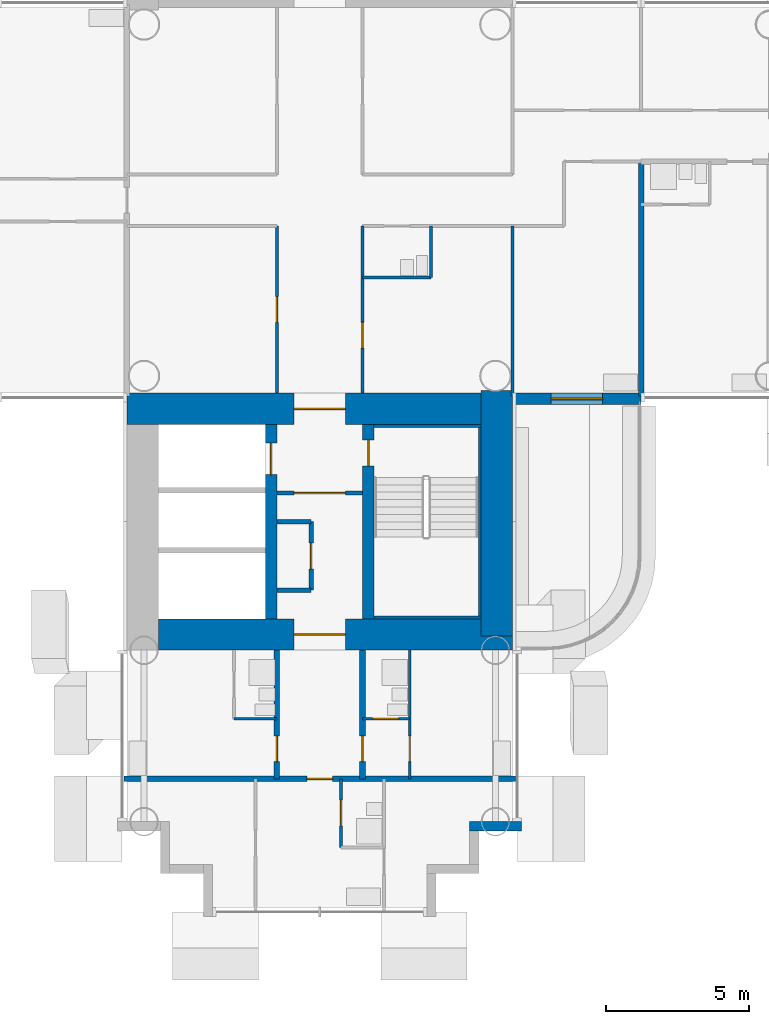
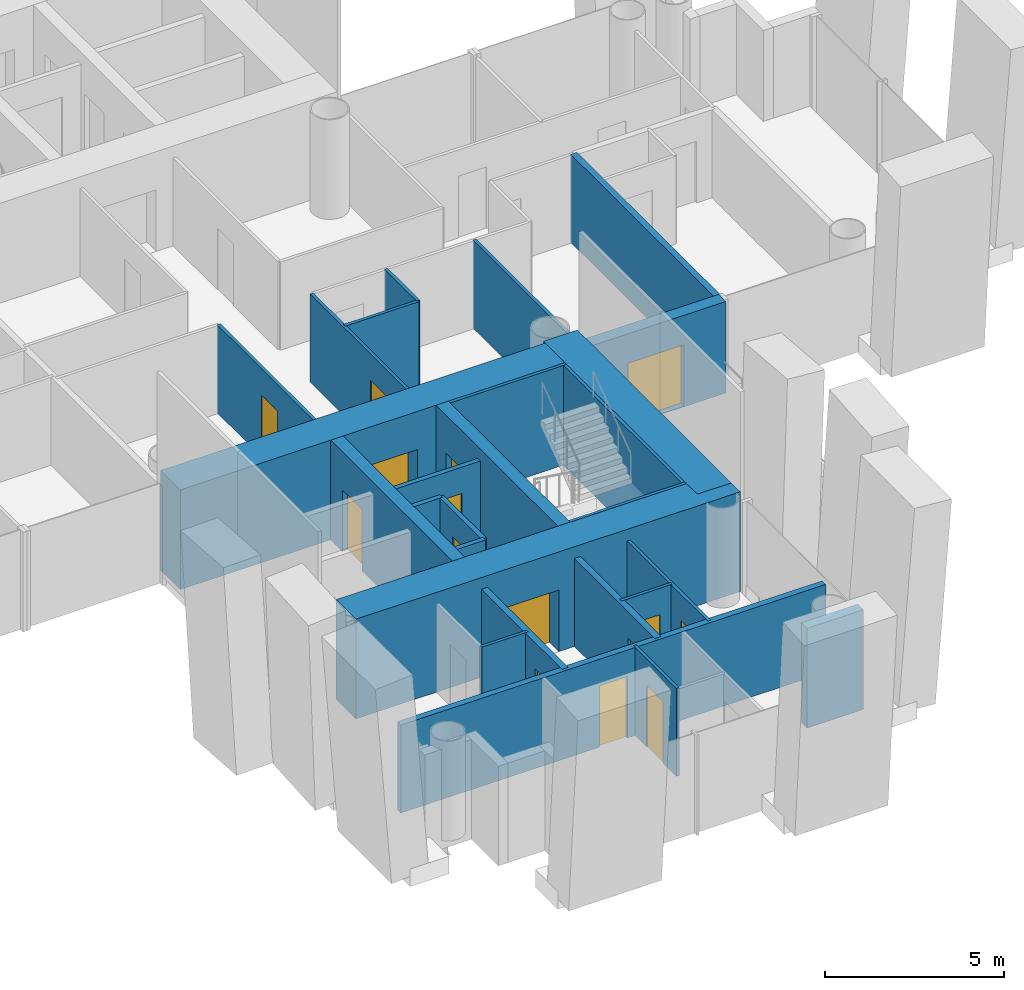
# One storey, part 15 of 25: 27 walls, 15 doors, 15 openings.
"""IFC4 building model written with IfcOpenShell, lengths in metres."""

from ifc_helpers import new_model, si_unit, direction, frame, frame_2d, origin, place, context, subcontext, project, spatial, rectangle, extrude, material, layer, layer_set, type_object, element, fill, save


model = new_model("IFC4")

# Units and contexts
model_context = context("Model", 3, precision=1e-05, world=origin(), true_north=direction((0.0, 1.0)))
body_context = subcontext(model_context, "Body", "Model", "MODEL_VIEW")
ifc_project = project(units=[si_unit("LENGTHUNIT", "METRE"), si_unit("AREAUNIT", "SQUARE_METRE"), si_unit("VOLUMEUNIT", "CUBIC_METRE"), si_unit("PLANEANGLEUNIT", "RADIAN"), si_unit("MASSUNIT", "GRAM", prefix="KILO")], contexts=[model_context])

# Site, building, storey
site_placement = place(None, origin())
site = spatial("IfcSite", under=ifc_project, at=site_placement, CompositionType="ELEMENT")
building_placement = place(site_placement, origin())
building = spatial("IfcBuilding", under=site, at=building_placement, Name="Ipe Terrace Towers", CompositionType="ELEMENT")
storey_placement = place(building_placement, frame((0.0, 0.0, 58.5)))
storey = spatial("IfcBuildingStorey", under=building, at=storey_placement, Name="L15", CompositionType="ELEMENT", Elevation=58.5)

# Wall, opening, door
ifc_material_1 = material(Name="Concrete C40/50 with buff precast cladding", Category="concrete")
ifc_layer_1 = layer(ifc_material_1, 0.39990234375)
ifc_layer_set_1 = layer_set([ifc_layer_1], Name="BALCONY BAY WALL 400")
wall_type_1 = type_object("IfcWallType", Name="BALCONY BAY WALL 400", PredefinedType="STANDARD", material=ifc_layer_set_1)
wall_1_placement = place(storey_placement, frame((42.75, -6.949951171875, -0.02001953125), z_axis=(0.0, 0.0, 1.0), x_axis=(1.0, 0.0, 0.0)))
wall_1 = element("IfcWall", 1, at=wall_1_placement, inside=storey, type_object=wall_type_1, Name="T2-W-L15-06a wall", PredefinedType="STANDARD", context=body_context, shape_type="SweptSolid", body=[
    extrude(rectangle(XDim=4.5, YDim=0.39990234375, at=frame_2d((2.25, 0.0))), origin(), (0.0, 0.0, 1.0), 3.1201171875),
])
opening_1_placement = place(wall_1_placement, frame((1.35009765625, 0.0, 0.02001953125)))
opening_1 = element("IfcOpeningElement", 2, at=opening_1_placement, cuts=wall_1, Name="Opening T2-D-L15-06", PredefinedType="OPENING", context=body_context, shape_type="SweptSolid", body=[
    extrude(rectangle(XDim=1.800048828125, YDim=2.10009765625, at=frame_2d((0.89990234375, 1.050048828125))), frame((0.0, 0.2099609375, 0.0), z_axis=(0.0, -1.0, 0.0), x_axis=(1.0, 0.0, 0.0)), (0.0, 0.0, 1.0), 0.419921875),
])
ifc_material_2 = material(Name="Aluminium alloy 6063-T6 framed glazed door", Category="aluminium")
door_type_1 = type_object("IfcDoorType", Name="BALCONY DOOR 1800 x 2100 RIGHT", OperationType="SINGLE_SWING_RIGHT", PredefinedType="DOOR", material=ifc_material_2)
door_1_placement = place(opening_1_placement, origin())
door_1 = element("IfcDoor", 3, at=door_1_placement, inside=storey, type_object=door_type_1, Name="DB2 door", OperationType="SINGLE_SWING_RIGHT", OverallHeight=2.10009765625, OverallWidth=1.800048828125, PredefinedType="DOOR", context=body_context, shape_type="SweptSolid", body=[
    extrude(rectangle(XDim=1.800048828125, YDim=2.10009765625, at=frame_2d((0.89990234375, 1.050048828125))), frame((0.0, 0.02490234375, 0.0), z_axis=(0.0, -1.0, 0.0), x_axis=(1.0, 0.0, 0.0)), (0.0, 0.0, 1.0), 0.050048828125),
])
fill(opening_1, door_1)

# Wall
ifc_material_3 = material(Name="Concrete C40/50 with buff precast cladding", Category="concrete")
ifc_layer_2 = layer(ifc_material_3, 0.320068359375)
ifc_layer_set_2 = layer_set([ifc_layer_2], Name="BUFF CLADDING WALL 320")
wall_type_2 = type_object("IfcWallType", Name="BUFF CLADDING WALL 320", PredefinedType="STANDARD", material=ifc_layer_set_2)
wall_2_placement = place(storey_placement, frame((41.25, -21.909912109375, -0.300048828125), z_axis=(0.0, 0.0, 1.0), x_axis=(1.0, 0.0, 0.0)))
element("IfcWall", 4, at=wall_2_placement, inside=storey, type_object=wall_type_2, Name="T2-W-L15-03a wall", PredefinedType="STANDARD", context=body_context, shape_type="SweptSolid", body=[
    extrude(rectangle(XDim=1.820068359375, YDim=0.320068359375, at=frame_2d((0.91015625, 0.0))), origin(), (0.0, 0.0, 1.0), 3.400146484375),
])

# Wall, opening, door
ifc_material_4 = material(Name="Gypsum board partition", Category="plasterboard")
ifc_layer_3 = layer(ifc_material_4, 0.10009765625)
ifc_layer_set_3 = layer_set([ifc_layer_3], Name="Gypsum board partition 100 mm")
wall_type_3 = type_object("IfcWallType", Name="Gypsum board partition 100 mm", PredefinedType="PARTITIONING", material=ifc_layer_set_3)
wall_3_placement = place(storey_placement, frame((39.14990234375, -18.14990234375, 0.0), z_axis=(0.0, 0.0, 1.0), x_axis=(-1.0, 0.0, 0.0)))
wall_3 = element("IfcWall", 5, at=wall_3_placement, inside=storey, type_object=wall_type_3, Name="Gypsum board partition T2 L15 W03", PredefinedType="PARTITIONING", context=body_context, shape_type="SweptSolid", body=[
    extrude(rectangle(XDim=1.64990234375, YDim=0.10009765625, at=frame_2d((0.824951171875, 0.0))), origin(), (0.0, 0.0, 1.0), 3.0),
])
opening_2_placement = place(wall_3_placement, frame((0.39990234375, 0.0, 0.0)))
opening_2 = element("IfcOpeningElement", 6, at=opening_2_placement, cuts=wall_3, Name="Opening T2-Z1D-32", PredefinedType="OPENING", context=body_context, shape_type="SweptSolid", body=[
    extrude(rectangle(XDim=0.89990234375, YDim=2.10009765625, at=frame_2d((0.449951171875, 1.050048828125))), frame((0.0, 0.06005859375, 0.0), z_axis=(0.0, -1.0, 0.0), x_axis=(1.0, 0.0, 0.0)), (0.0, 0.0, 1.0), 0.1201171875),
])
ifc_material_5 = material(Name="Timber door leaf", Category="wood")
door_type_2 = type_object("IfcDoorType", Name="Bathroom door 900 x 2100", OperationType="NOTDEFINED", PredefinedType="DOOR", material=ifc_material_5)
door_2_placement = place(opening_2_placement, origin())
door_2 = element("IfcDoor", 7, at=door_2_placement, inside=storey, type_object=door_type_2, Name="Bathroom door T2-Z1D-32", OperationType="SINGLE_SWING_RIGHT", OverallHeight=2.10009765625, OverallWidth=0.89990234375, PredefinedType="DOOR", context=body_context, shape_type="SweptSolid", body=[
    extrude(rectangle(XDim=0.89990234375, YDim=2.10009765625, at=frame_2d((0.449951171875, 1.050048828125))), frame((0.0, 0.02490234375, 0.0), z_axis=(0.0, -1.0, 0.0), x_axis=(1.0, 0.0, 0.0)), (0.0, 0.0, 1.0), 0.050048828125),
])
fill(opening_2, door_2)

# Walls
wall_4_placement = place(storey_placement, frame((34.5, -18.14990234375, 0.0), z_axis=(0.0, 0.0, 1.0), x_axis=(-1.0, 0.0, 0.0)))
element("IfcWall", 8, at=wall_4_placement, inside=storey, type_object=wall_type_3, Name="Gypsum board partition T2 L15 W04", PredefinedType="PARTITIONING", context=body_context, shape_type="SweptSolid", body=[
    extrude(rectangle(XDim=1.5, YDim=0.10009765625, at=frame_2d((0.75, 0.0))), origin(), (0.0, 0.0, 1.0), 3.0),
])
wall_5_placement = place(storey_placement, frame((39.89990234375, -2.699951171875, 0.0), z_axis=(0.0, 0.0, 1.0), x_axis=(-1.0, 0.0, 0.0)))
element("IfcWall", 9, at=wall_5_placement, inside=storey, type_object=wall_type_3, Name="Gypsum board partition T2 L15 W06", PredefinedType="PARTITIONING", context=body_context, shape_type="SweptSolid", body=[
    extrude(rectangle(XDim=2.39990234375, YDim=0.10009765625, at=frame_2d((1.199951171875, 0.0))), origin(), (0.0, 0.0, 1.0), 3.0),
])
wall_6_placement = place(storey_placement, frame((42.75, -6.85009765625, 0.0), z_axis=(0.0, 0.0, 1.0), x_axis=(0.0, 1.0, 0.0)))
element("IfcWall", 10, at=wall_6_placement, inside=storey, type_object=wall_type_3, Name="Gypsum board partition T2 L15 W30", PredefinedType="PARTITIONING", context=body_context, shape_type="SweptSolid", body=[
    extrude(rectangle(XDim=5.9501953125, YDim=0.10009765625, at=frame_2d((2.97509765625, 0.0))), origin(), (0.0, 0.0, 1.0), 3.0),
])
wall_7_placement = place(storey_placement, frame((39.89990234375, -2.699951171875, 0.0), z_axis=(0.0, 0.0, 1.0), x_axis=(0.0, 1.0, 0.0)))
element("IfcWall", 11, at=wall_7_placement, inside=storey, type_object=wall_type_3, Name="Gypsum board partition T2 L15 W32", PredefinedType="PARTITIONING", context=body_context, shape_type="SweptSolid", body=[
    extrude(rectangle(XDim=1.800048828125, YDim=0.10009765625, at=frame_2d((0.89990234375, 0.0))), origin(), (0.0, 0.0, 1.0), 3.0),
])

# Wall, opening, door
wall_8_placement = place(storey_placement, frame((39.14990234375, -20.25, 0.0), z_axis=(0.0, 0.0, 1.0), x_axis=(0.0, 1.0, 0.0)))
wall_8 = element("IfcWall", 12, at=wall_8_placement, inside=storey, type_object=wall_type_3, Name="Gypsum board partition T2 L15 W33", PredefinedType="PARTITIONING", context=body_context, shape_type="SweptSolid", body=[
    extrude(rectangle(XDim=4.5, YDim=0.10009765625, at=frame_2d((2.25, 0.0))), origin(), (0.0, 0.0, 1.0), 3.0),
])
opening_3_placement = place(wall_8_placement, frame((0.60009765625, 0.0, 0.0)))
opening_3 = element("IfcOpeningElement", 13, at=opening_3_placement, cuts=wall_8, Name="Opening T2-Z1D-31", PredefinedType="OPENING", context=body_context, shape_type="SweptSolid", body=[
    extrude(rectangle(XDim=0.89990234375, YDim=2.10009765625, at=frame_2d((0.449951171875, 1.050048828125))), frame((0.0, 0.06005859375, 0.0), z_axis=(0.0, -1.0, 0.0), x_axis=(1.0, 0.0, 0.0)), (0.0, 0.0, 1.0), 0.1201171875),
])
ifc_material_6 = material(Name="Timber door leaf", Category="wood")
door_type_3 = type_object("IfcDoorType", Name="Bedroom door 900 x 2100", OperationType="NOTDEFINED", PredefinedType="DOOR", material=ifc_material_6)
door_3_placement = place(opening_3_placement, origin())
door_3 = element("IfcDoor", 14, at=door_3_placement, inside=storey, type_object=door_type_3, Name="Bedroom door T2-Z1D-31", OperationType="SINGLE_SWING_LEFT", OverallHeight=2.10009765625, OverallWidth=0.89990234375, PredefinedType="DOOR", context=body_context, shape_type="SweptSolid", body=[
    extrude(rectangle(XDim=0.89990234375, YDim=2.10009765625, at=frame_2d((0.449951171875, 1.050048828125))), frame((0.0, 0.02490234375, 0.0), z_axis=(0.0, -1.0, 0.0), x_axis=(1.0, 0.0, 0.0)), (0.0, 0.0, 1.0), 0.050048828125),
])
fill(opening_3, door_3)

wall_9_placement = place(storey_placement, frame((37.5, -6.75, 0.0), z_axis=(0.0, 0.0, 1.0), x_axis=(0.0, 1.0, 0.0)))
wall_9 = element("IfcWall", 15, at=wall_9_placement, inside=storey, type_object=wall_type_3, Name="Gypsum board partition T2 L15 W36", PredefinedType="PARTITIONING", context=body_context, shape_type="SweptSolid", body=[
    extrude(rectangle(XDim=5.85009765625, YDim=0.10009765625, at=frame_2d((2.925048828125, 0.0))), origin(), (0.0, 0.0, 1.0), 3.0),
])
opening_4_placement = place(wall_9_placement, frame((1.574951171875, 0.0, 0.0)))
opening_4 = element("IfcOpeningElement", 16, at=opening_4_placement, cuts=wall_9, Name="Opening T2-Z1D-04", PredefinedType="OPENING", context=body_context, shape_type="SweptSolid", body=[
    extrude(rectangle(XDim=0.89990234375, YDim=2.10009765625, at=frame_2d((0.449951171875, 1.050048828125))), frame((0.0, 0.06005859375, 0.0), z_axis=(0.0, -1.0, 0.0), x_axis=(1.0, 0.0, 0.0)), (0.0, 0.0, 1.0), 0.1201171875),
])
ifc_material_7 = material(Name="Timber door leaf", Category="wood")
door_type_4 = type_object("IfcDoorType", Name="Lounge door 900 x 2100", OperationType="NOTDEFINED", PredefinedType="DOOR", material=ifc_material_7)
door_4_placement = place(opening_4_placement, origin())
door_4 = element("IfcDoor", 17, at=door_4_placement, inside=storey, type_object=door_type_4, Name="Lounge door T2-Z1D-04", OperationType="SINGLE_SWING_LEFT", OverallHeight=2.10009765625, OverallWidth=0.89990234375, PredefinedType="DOOR", context=body_context, shape_type="SweptSolid", body=[
    extrude(rectangle(XDim=0.89990234375, YDim=2.10009765625, at=frame_2d((0.449951171875, 1.050048828125))), frame((0.0, 0.02490234375, 0.0), z_axis=(0.0, -1.0, 0.0), x_axis=(1.0, 0.0, 0.0)), (0.0, 0.0, 1.0), 0.050048828125),
])
fill(opening_4, door_4)

wall_10_placement = place(storey_placement, frame((36.75, -22.64990234375, 0.0), z_axis=(0.0, 0.0, 1.0), x_axis=(0.0, 1.0, 0.0)))
wall_10 = element("IfcWall", 18, at=wall_10_placement, inside=storey, type_object=wall_type_3, Name="Gypsum board partition T2 L15 W40", PredefinedType="PARTITIONING", context=body_context, shape_type="SweptSolid", body=[
    extrude(rectangle(XDim=2.39990234375, YDim=0.10009765625, at=frame_2d((1.199951171875, 0.0))), origin(), (0.0, 0.0, 1.0), 3.0),
])
opening_5_placement = place(wall_10_placement, frame((0.75, 0.0, 0.0)))
opening_5 = element("IfcOpeningElement", 19, at=opening_5_placement, cuts=wall_10, Name="Opening T2-Z1D-35", PredefinedType="OPENING", context=body_context, shape_type="SweptSolid", body=[
    extrude(rectangle(XDim=0.89990234375, YDim=2.10009765625, at=frame_2d((0.449951171875, 1.050048828125))), frame((0.0, 0.06005859375, 0.0), z_axis=(0.0, -1.0, 0.0), x_axis=(1.0, 0.0, 0.0)), (0.0, 0.0, 1.0), 0.1201171875),
])
door_5_placement = place(opening_5_placement, origin())
door_5 = element("IfcDoor", 20, at=door_5_placement, inside=storey, type_object=door_type_2, Name="Bathroom door T2-Z1D-35", OperationType="SINGLE_SWING_RIGHT", OverallHeight=2.10009765625, OverallWidth=0.89990234375, PredefinedType="DOOR", context=body_context, shape_type="SweptSolid", body=[
    extrude(rectangle(XDim=0.89990234375, YDim=2.10009765625, at=frame_2d((0.449951171875, 1.050048828125))), frame((0.0, 0.02490234375, 0.0), z_axis=(0.0, -1.0, 0.0), x_axis=(1.0, 0.0, 0.0)), (0.0, 0.0, 1.0), 0.050048828125),
])
fill(opening_5, door_5)

wall_11_placement = place(storey_placement, frame((34.5, -6.75, 0.0), z_axis=(0.0, 0.0, 1.0), x_axis=(0.0, 1.0, 0.0)))
wall_11 = element("IfcWall", 21, at=wall_11_placement, inside=storey, type_object=wall_type_3, Name="Gypsum board partition T2 L15 W42", PredefinedType="PARTITIONING", context=body_context, shape_type="SweptSolid", body=[
    extrude(rectangle(XDim=5.85009765625, YDim=0.10009765625, at=frame_2d((2.925048828125, 0.0))), origin(), (0.0, 0.0, 1.0), 3.0),
])
opening_6_placement = place(wall_11_placement, frame((2.47509765625, 0.0, 0.0)))
opening_6 = element("IfcOpeningElement", 22, at=opening_6_placement, cuts=wall_11, Name="Opening T2-Z1D-03", PredefinedType="OPENING", context=body_context, shape_type="SweptSolid", body=[
    extrude(rectangle(XDim=0.89990234375, YDim=2.10009765625, at=frame_2d((0.449951171875, 1.050048828125))), frame((0.0, 0.06005859375, 0.0), z_axis=(0.0, -1.0, 0.0), x_axis=(1.0, 0.0, 0.0)), (0.0, 0.0, 1.0), 0.1201171875),
])
door_6_placement = place(opening_6_placement, origin())
door_6 = element("IfcDoor", 23, at=door_6_placement, inside=storey, type_object=door_type_4, Name="Lounge door T2-Z1D-03", OperationType="SINGLE_SWING_RIGHT", OverallHeight=2.10009765625, OverallWidth=0.89990234375, PredefinedType="DOOR", context=body_context, shape_type="SweptSolid", body=[
    extrude(rectangle(XDim=0.89990234375, YDim=2.10009765625, at=frame_2d((0.449951171875, 1.050048828125))), frame((0.0, 0.02490234375, 0.0), z_axis=(0.0, -1.0, 0.0), x_axis=(1.0, 0.0, 0.0)), (0.0, 0.0, 1.0), 0.050048828125),
])
fill(opening_6, door_6)

ifc_material_8 = material(Name="Gypsum board partition", Category="plasterboard")
ifc_layer_4 = layer(ifc_material_8, 0.14990234375)
ifc_layer_set_4 = layer_set([ifc_layer_4], Name="Gypsum board partition 150 mm")
wall_type_4 = type_object("IfcWallType", Name="Gypsum board partition 150 mm", PredefinedType="PARTITIONING", material=ifc_layer_set_4)
wall_12_placement = place(storey_placement, frame((34.5, -10.25, 0.0), z_axis=(0.0, 0.0, 1.0), x_axis=(1.0, 0.0, 0.0)))
wall_12 = element("IfcWall", 24, at=wall_12_placement, inside=storey, type_object=wall_type_4, Name="Gypsum board partition T2 L15 t2c2-lobby-wall", PredefinedType="PARTITIONING", context=body_context, shape_type="SweptSolid", body=[
    extrude(rectangle(XDim=3.0, YDim=0.14990234375, at=frame_2d((1.5, 0.0))), origin(), (0.0, 0.0, 1.0), 3.0),
])
opening_7_placement = place(wall_12_placement, frame((0.60009765625, 0.0, 0.0)))
opening_7 = element("IfcOpeningElement", 25, at=opening_7_placement, cuts=wall_12, Name="Opening T2C2-VD", PredefinedType="OPENING", context=body_context, shape_type="SweptSolid", body=[
    extrude(rectangle(XDim=1.800048828125, YDim=2.10009765625, at=frame_2d((0.89990234375, 1.050048828125))), frame((0.0, 0.0849609375, 0.0), z_axis=(0.0, -1.0, 0.0), x_axis=(1.0, 0.0, 0.0)), (0.0, 0.0, 1.0), 0.169921875),
])
ifc_material_9 = material(Name="Fire-rated timber door leaf", Category="wood")
door_type_5 = type_object("IfcDoorType", Name="Lobby door 1800 x 2100 FD60", OperationType="NOTDEFINED", PredefinedType="DOOR", material=ifc_material_9)
door_7_placement = place(opening_7_placement, origin())
door_7 = element("IfcDoor", 26, at=door_7_placement, inside=storey, type_object=door_type_5, Name="Lobby door T2C2-VD", OperationType="SINGLE_SWING_LEFT", OverallHeight=2.10009765625, OverallWidth=1.800048828125, PredefinedType="DOOR", context=body_context, shape_type="SweptSolid", body=[
    extrude(rectangle(XDim=1.800048828125, YDim=2.10009765625, at=frame_2d((0.89990234375, 1.050048828125))), frame((0.0, 0.02490234375, 0.0), z_axis=(0.0, -1.0, 0.0), x_axis=(1.0, 0.0, 0.0)), (0.0, 0.0, 1.0), 0.050048828125),
])
fill(opening_7, door_7)

wall_13_placement = place(storey_placement, frame((35.699951171875, -11.25, 0.0), z_axis=(0.0, 0.0, 1.0), x_axis=(0.0, -1.0, 0.0)))
wall_13 = element("IfcWall", 27, at=wall_13_placement, inside=storey, type_object=wall_type_4, Name="Gypsum board partition T2 L15 t2c2-cup-s-f", PredefinedType="PARTITIONING", context=body_context, shape_type="SweptSolid", body=[
    extrude(rectangle(XDim=2.39990234375, YDim=0.14990234375, at=frame_2d((1.199951171875, 0.0))), origin(), (0.0, 0.0, 1.0), 3.0),
])
opening_8_placement = place(wall_13_placement, frame((0.75, 0.0, 0.0)))
opening_8 = element("IfcOpeningElement", 28, at=opening_8_placement, cuts=wall_13, Name="Opening T2C2-SC", PredefinedType="OPENING", context=body_context, shape_type="SweptSolid", body=[
    extrude(rectangle(XDim=0.89990234375, YDim=2.10009765625, at=frame_2d((0.449951171875, 1.050048828125))), frame((0.0, 0.0849609375, 0.0), z_axis=(0.0, -1.0, 0.0), x_axis=(1.0, 0.0, 0.0)), (0.0, 0.0, 1.0), 0.169921875),
])
ifc_material_10 = material(Name="Fire-rated timber door leaf", Category="wood")
door_type_6 = type_object("IfcDoorType", Name="Service door 900 x 2100 FD30S", OperationType="NOTDEFINED", PredefinedType="DOOR", material=ifc_material_10)
door_8_placement = place(opening_8_placement, origin())
door_8 = element("IfcDoor", 29, at=door_8_placement, inside=storey, type_object=door_type_6, Name="Service door T2C2-SC", OperationType="SINGLE_SWING_LEFT", OverallHeight=2.10009765625, OverallWidth=0.89990234375, PredefinedType="DOOR", context=body_context, shape_type="SweptSolid", body=[
    extrude(rectangle(XDim=0.89990234375, YDim=2.10009765625, at=frame_2d((0.449951171875, 1.050048828125))), frame((0.0, 0.02490234375, 0.0), z_axis=(0.0, -1.0, 0.0), x_axis=(1.0, 0.0, 0.0)), (0.0, 0.0, 1.0), 0.050048828125),
])
fill(opening_8, door_8)

# Walls
for number, where, z_axis, x_axis, name in (
    (30, (35.699951171875, -11.25, 0.0), (0.0, 0.0, 1.0), (-1.0, 0.0, 0.0), "Gypsum board partition T2 L15 t2c2-cup-s-a"),
    (31, (35.699951171875, -13.64990234375, 0.0), (0.0, 0.0, 1.0), (-1.0, 0.0, 0.0), "Gypsum board partition T2 L15 t2c2-cup-s-b"),
):
    element("IfcWall", number, at=place(storey_placement, frame(where, z_axis=z_axis, x_axis=x_axis)), inside=storey, type_object=wall_type_4, Name=name, PredefinedType="PARTITIONING", context=body_context, shape_type="SweptSolid", body=[
        extrude(rectangle(XDim=1.199951171875, YDim=0.14990234375, at=frame_2d((0.60009765625, 0.0))), origin(), (0.0, 0.0, 1.0), 3.0),
    ])

# Wall, opening, door
ifc_material_11 = material(Name="Gypsum board party wall", Category="plasterboard")
ifc_layer_5 = layer(ifc_material_11, 0.199951171875)
ifc_layer_set_5 = layer_set([ifc_layer_5], Name="Gypsum board party wall 200 mm")
wall_type_5 = type_object("IfcWallType", Name="Gypsum board party wall 200 mm", PredefinedType="SOLIDWALL", material=ifc_layer_set_5)
wall_14_placement = place(storey_placement, frame((42.85009765625, -20.25, 0.0), z_axis=(0.0, 0.0, 1.0), x_axis=(-1.0, 0.0, 0.0)))
wall_14 = element("IfcWall", 32, at=wall_14_placement, inside=storey, type_object=wall_type_5, Name="Gypsum board party wall T2 L15 W02", PredefinedType="SOLIDWALL", context=body_context, shape_type="SweptSolid", body=[
    extrude(rectangle(XDim=13.7001953125, YDim=0.199951171875, at=frame_2d((6.85009765625, 0.0))), origin(), (0.0, 0.0, 1.0), 3.0),
])
opening_9_placement = place(wall_14_placement, frame((6.39990234375, 0.0, 0.0)))
opening_9 = element("IfcOpeningElement", 33, at=opening_9_placement, cuts=wall_14, Name="Opening T2-Z1D-36", PredefinedType="OPENING", context=body_context, shape_type="SweptSolid", body=[
    extrude(rectangle(XDim=0.89990234375, YDim=2.10009765625, at=frame_2d((0.449951171875, 1.050048828125))), frame((0.0, 0.10986328125, 0.0), z_axis=(0.0, -1.0, 0.0), x_axis=(1.0, 0.0, 0.0)), (0.0, 0.0, 1.0), 0.219970703125),
])
ifc_material_12 = material(Name="Fire-rated timber door leaf", Category="wood")
door_type_7 = type_object("IfcDoorType", Name="Flat entrance door 900 x 2100 FD30S", OperationType="NOTDEFINED", PredefinedType="DOOR", material=ifc_material_12)
door_9_placement = place(opening_9_placement, origin())
door_9 = element("IfcDoor", 34, at=door_9_placement, inside=storey, type_object=door_type_7, Name="Flat entrance door T2-Z1D-36", OperationType="SINGLE_SWING_LEFT", OverallHeight=2.10009765625, OverallWidth=0.89990234375, PredefinedType="DOOR", context=body_context, shape_type="SweptSolid", body=[
    extrude(rectangle(XDim=0.89990234375, YDim=2.10009765625, at=frame_2d((0.449951171875, 1.050048828125))), frame((0.0, 0.02490234375, 0.0), z_axis=(0.0, -1.0, 0.0), x_axis=(1.0, 0.0, 0.0)), (0.0, 0.0, 1.0), 0.050048828125),
])
fill(opening_9, door_9)

# Wall
wall_15_placement = place(storey_placement, frame((47.25, -6.85009765625, 0.0), z_axis=(0.0, 0.0, 1.0), x_axis=(0.0, 1.0, 0.0)))
element("IfcWall", 35, at=wall_15_placement, inside=storey, type_object=wall_type_5, Name="Gypsum board party wall T2 L15 W28", PredefinedType="SOLIDWALL", context=body_context, shape_type="SweptSolid", body=[
    extrude(rectangle(XDim=8.2001953125, YDim=0.199951171875, at=frame_2d((4.10009765625, 0.0))), origin(), (0.0, 0.0, 1.0), 3.0),
])

# Wall, opening, door
wall_16_placement = place(storey_placement, frame((37.5, -20.25, 0.0), z_axis=(0.0, 0.0, 1.0), x_axis=(0.0, 1.0, 0.0)))
wall_16 = element("IfcWall", 36, at=wall_16_placement, inside=storey, type_object=wall_type_5, Name="Gypsum board party wall T2 L15 W39", PredefinedType="SOLIDWALL", context=body_context, shape_type="SweptSolid", body=[
    extrude(rectangle(XDim=4.5, YDim=0.199951171875, at=frame_2d((2.25, 0.0))), origin(), (0.0, 0.0, 1.0), 3.0),
])
opening_10_placement = place(wall_16_placement, frame((0.60009765625, 0.0, 0.0)))
opening_10 = element("IfcOpeningElement", 37, at=opening_10_placement, cuts=wall_16, Name="Opening T2-Z1D-30", PredefinedType="OPENING", context=body_context, shape_type="SweptSolid", body=[
    extrude(rectangle(XDim=0.89990234375, YDim=2.10009765625, at=frame_2d((0.449951171875, 1.050048828125))), frame((0.0, 0.10986328125, 0.0), z_axis=(0.0, -1.0, 0.0), x_axis=(1.0, 0.0, 0.0)), (0.0, 0.0, 1.0), 0.219970703125),
])
door_10_placement = place(opening_10_placement, origin())
door_10 = element("IfcDoor", 38, at=door_10_placement, inside=storey, type_object=door_type_7, Name="Flat entrance door T2-Z1D-30", OperationType="SINGLE_SWING_LEFT", OverallHeight=2.10009765625, OverallWidth=0.89990234375, PredefinedType="DOOR", context=body_context, shape_type="SweptSolid", body=[
    extrude(rectangle(XDim=0.89990234375, YDim=2.10009765625, at=frame_2d((0.449951171875, 1.050048828125))), frame((0.0, 0.02490234375, 0.0), z_axis=(0.0, -1.0, 0.0), x_axis=(1.0, 0.0, 0.0)), (0.0, 0.0, 1.0), 0.050048828125),
])
fill(opening_10, door_10)

wall_17_placement = place(storey_placement, frame((34.5, -20.25, 0.0), z_axis=(0.0, 0.0, 1.0), x_axis=(0.0, 1.0, 0.0)))
wall_17 = element("IfcWall", 39, at=wall_17_placement, inside=storey, type_object=wall_type_5, Name="Gypsum board party wall T2 L15 W44", PredefinedType="SOLIDWALL", context=body_context, shape_type="SweptSolid", body=[
    extrude(rectangle(XDim=4.5, YDim=0.199951171875, at=frame_2d((2.25, 0.0))), origin(), (0.0, 0.0, 1.0), 3.0),
])
opening_11_placement = place(wall_17_placement, frame((0.60009765625, 0.0, 0.0)))
opening_11 = element("IfcOpeningElement", 40, at=opening_11_placement, cuts=wall_17, Name="Opening T2-Z1D-33", PredefinedType="OPENING", context=body_context, shape_type="SweptSolid", body=[
    extrude(rectangle(XDim=0.89990234375, YDim=2.10009765625, at=frame_2d((0.449951171875, 1.050048828125))), frame((0.0, 0.10986328125, 0.0), z_axis=(0.0, -1.0, 0.0), x_axis=(1.0, 0.0, 0.0)), (0.0, 0.0, 1.0), 0.219970703125),
])
door_11_placement = place(opening_11_placement, origin())
door_11 = element("IfcDoor", 41, at=door_11_placement, inside=storey, type_object=door_type_7, Name="Flat entrance door T2-Z1D-33", OperationType="SINGLE_SWING_RIGHT", OverallHeight=2.10009765625, OverallWidth=0.89990234375, PredefinedType="DOOR", context=body_context, shape_type="SweptSolid", body=[
    extrude(rectangle(XDim=0.89990234375, YDim=2.10009765625, at=frame_2d((0.449951171875, 1.050048828125))), frame((0.0, 0.02490234375, 0.0), z_axis=(0.0, -1.0, 0.0), x_axis=(1.0, 0.0, 0.0)), (0.0, 0.0, 1.0), 0.050048828125),
])
fill(opening_11, door_11)

# Walls
ifc_material_13 = material(Name="Concrete C60/75", Category="concrete")
ifc_layer_6 = layer(ifc_material_13, 0.10009765625)
ifc_layer_set_6 = layer_set([ifc_layer_6], Name="RW100 CORE INFILL WALL 100 C60-75")
wall_type_6 = type_object("IfcWallType", Name="RW100 CORE INFILL WALL 100 C60-75", PredefinedType="SHEAR", material=ifc_layer_set_6)
wall_18_placement = place(storey_placement, frame((37.89990234375, -14.60009765625, 0.0), z_axis=(0.0, 0.0, 1.0), x_axis=(1.0, 0.0, 0.0)))
element("IfcWall", 42, at=wall_18_placement, inside=storey, type_object=wall_type_6, Name="Core infill wall T2-C2-far", PredefinedType="SHEAR", context=body_context, shape_type="SweptSolid", body=[
    extrude(rectangle(XDim=3.75, YDim=0.10009765625, at=frame_2d((1.875, 0.0))), origin(), (0.0, 0.0, 1.0), 3.39990234375),
])
wall_19_placement = place(storey_placement, frame((41.60009765625, -7.949951171875, 0.0), z_axis=(0.0, 0.0, 1.0), x_axis=(0.0, -1.0, 0.0)))
element("IfcWall", 43, at=wall_19_placement, inside=storey, type_object=wall_type_6, Name="Core infill wall T2-C2-back", PredefinedType="SHEAR", context=body_context, shape_type="SweptSolid", body=[
    extrude(rectangle(XDim=6.60009765625, YDim=0.10009765625, at=frame_2d((3.300048828125, 0.0))), origin(), (0.0, 0.0, 1.0), 3.39990234375),
])
wall_20_placement = place(storey_placement, frame((37.89990234375, -7.89990234375, 0.0), z_axis=(0.0, 0.0, 1.0), x_axis=(1.0, 0.0, 0.0)))
element("IfcWall", 44, at=wall_20_placement, inside=storey, type_object=wall_type_6, Name="Core infill wall T2-C2-near", PredefinedType="SHEAR", context=body_context, shape_type="SweptSolid", body=[
    extrude(rectangle(XDim=3.75, YDim=0.10009765625, at=frame_2d((1.875, 0.0))), origin(), (0.0, 0.0, 1.0), 3.39990234375),
])

# Wall, opening, door
ifc_material_14 = material(Name="Concrete C60/75", Category="concrete")
ifc_layer_7 = layer(ifc_material_14, 1.10009765625)
ifc_layer_set_7 = layer_set([ifc_layer_7], Name="RW1100 CORE WALL 1100 C60-75")
wall_type_7 = type_object("IfcWallType", Name="RW1100 CORE WALL 1100 C60-75", PredefinedType="SHEAR", material=ifc_layer_set_7)
wall_21_placement = place(storey_placement, frame((30.35009765625, -15.199951171875, 0.0), z_axis=(0.0, 0.0, 1.0), x_axis=(1.0, 0.0, 0.0)))
wall_21 = element("IfcWall", 45, at=wall_21_placement, inside=storey, type_object=wall_type_7, Name="Core wall T2-C2-Z1-W01", PredefinedType="SHEAR", context=body_context, shape_type="SweptSolid", body=[
    extrude(rectangle(XDim=12.39990234375, YDim=1.10009765625, at=frame_2d((6.199951171875, 0.0))), origin(), (0.0, 0.0, 1.0), 3.39990234375),
])
opening_12_placement = place(wall_21_placement, frame((4.75, 0.0, 0.0)))
opening_12 = element("IfcOpeningElement", 46, at=opening_12_placement, cuts=wall_21, Name="Opening T2C2-FD", PredefinedType="OPENING", context=body_context, shape_type="SweptSolid", body=[
    extrude(rectangle(XDim=1.800048828125, YDim=2.10009765625, at=frame_2d((0.89990234375, 1.050048828125))), frame((0.0, 0.56005859375, 0.0), z_axis=(0.0, -1.0, 0.0), x_axis=(1.0, 0.0, 0.0)), (0.0, 0.0, 1.0), 1.1201171875),
])
ifc_material_15 = material(Name="Fire-rated timber door leaf", Category="wood")
door_type_8 = type_object("IfcDoorType", Name="Fire door 1800 x 2100 FD30S", OperationType="NOTDEFINED", PredefinedType="DOOR", material=ifc_material_15)
door_12_placement = place(opening_12_placement, origin())
door_12 = element("IfcDoor", 47, at=door_12_placement, inside=storey, type_object=door_type_8, Name="Fire door T2C2-FD", OperationType="SINGLE_SWING_LEFT", OverallHeight=2.10009765625, OverallWidth=1.800048828125, PredefinedType="DOOR", context=body_context, shape_type="SweptSolid", body=[
    extrude(rectangle(XDim=1.800048828125, YDim=2.10009765625, at=frame_2d((0.89990234375, 1.050048828125))), frame((0.0, 0.02490234375, 0.0), z_axis=(0.0, -1.0, 0.0), x_axis=(1.0, 0.0, 0.0)), (0.0, 0.0, 1.0), 0.050048828125),
])
fill(opening_12, door_12)

# Wall
wall_22_placement = place(storey_placement, frame((42.199951171875, -15.248046875, 0.0), z_axis=(0.0, 0.0, 1.0), x_axis=(0.0, 1.0, 0.0)))
element("IfcWall", 48, at=wall_22_placement, inside=storey, type_object=wall_type_7, Name="Core wall T2-C2-Z1-W02", PredefinedType="SHEAR", context=body_context, shape_type="SweptSolid", body=[
    extrude(rectangle(XDim=8.595947265625, YDim=1.10009765625, at=frame_2d((4.2978515625, 0.0))), origin(), (0.0, 0.0, 1.0), 3.39990234375),
])

# Wall, opening, door
wall_23_placement = place(storey_placement, frame((41.64990234375, -7.300048828125, 0.0), z_axis=(0.0, 0.0, 1.0), x_axis=(-1.0, 0.0, 0.0)))
wall_23 = element("IfcWall", 49, at=wall_23_placement, inside=storey, type_object=wall_type_7, Name="Core wall T2-C2-Z1-W03", PredefinedType="SHEAR", context=body_context, shape_type="SweptSolid", body=[
    extrude(rectangle(XDim=12.39990234375, YDim=1.10009765625, at=frame_2d((6.199951171875, 0.0))), origin(), (0.0, 0.0, 1.0), 3.39990234375),
])
opening_13_placement = place(wall_23_placement, frame((4.75, 0.0, 0.0)))
opening_13 = element("IfcOpeningElement", 50, at=opening_13_placement, cuts=wall_23, Name="Opening T2C2-ND", PredefinedType="OPENING", context=body_context, shape_type="SweptSolid", body=[
    extrude(rectangle(XDim=1.800048828125, YDim=2.10009765625, at=frame_2d((0.89990234375, 1.050048828125))), frame((0.0, 0.56005859375, 0.0), z_axis=(0.0, -1.0, 0.0), x_axis=(1.0, 0.0, 0.0)), (0.0, 0.0, 1.0), 1.1201171875),
])
door_13_placement = place(opening_13_placement, origin())
door_13 = element("IfcDoor", 51, at=door_13_placement, inside=storey, type_object=door_type_8, Name="Fire door T2C2-ND", OperationType="SINGLE_SWING_LEFT", OverallHeight=2.10009765625, OverallWidth=1.800048828125, PredefinedType="DOOR", context=body_context, shape_type="SweptSolid", body=[
    extrude(rectangle(XDim=1.800048828125, YDim=2.10009765625, at=frame_2d((0.89990234375, 1.050048828125))), frame((0.0, 0.02490234375, 0.0), z_axis=(0.0, -1.0, 0.0), x_axis=(1.0, 0.0, 0.0)), (0.0, 0.0, 1.0), 0.050048828125),
])
fill(opening_13, door_13)

ifc_material_16 = material(Name="Concrete C60/75", Category="concrete")
ifc_layer_8 = layer(ifc_material_16, 0.39990234375)
ifc_layer_set_8 = layer_set([ifc_layer_8], Name="RW400 CORE SPINE WALL 400 C60-75")
wall_type_8 = type_object("IfcWallType", Name="RW400 CORE SPINE WALL 400 C60-75", PredefinedType="SHEAR", material=ifc_layer_set_8)
wall_24_placement = place(storey_placement, frame((34.300048828125, -14.64990234375, 0.0), z_axis=(0.0, 0.0, 1.0), x_axis=(0.0, 1.0, 0.0)))
wall_24 = element("IfcWall", 52, at=wall_24_placement, inside=storey, type_object=wall_type_8, Name="Core spine wall T2-C2-Z1-SW1", PredefinedType="SHEAR", context=body_context, shape_type="SweptSolid", body=[
    extrude(rectangle(XDim=6.7998046875, YDim=0.39990234375, at=frame_2d((3.39990234375, 0.0))), origin(), (0.0, 0.0, 1.0), 3.39990234375),
])
opening_14_placement = place(wall_24_placement, frame((5.050048828125, 0.0, 0.0)))
opening_14 = element("IfcOpeningElement", 53, at=opening_14_placement, cuts=wall_24, Name="Opening T2C2-LD1", PredefinedType="OPENING", context=body_context, shape_type="SweptSolid", body=[
    extrude(rectangle(XDim=1.10009765625, YDim=2.10009765625, at=frame_2d((0.550048828125, 1.050048828125))), frame((0.0, 0.2099609375, 0.0), z_axis=(0.0, -1.0, 0.0), x_axis=(1.0, 0.0, 0.0)), (0.0, 0.0, 1.0), 0.419921875),
])
ifc_material_17 = material(Name="Fire-rated timber door leaf", Category="wood")
door_type_9 = type_object("IfcDoorType", Name="Sliding door 1100 x 2100 FD60", OperationType="SLIDING_TO_LEFT", PredefinedType="DOOR", material=ifc_material_17)
door_14_placement = place(opening_14_placement, origin())
door_14 = element("IfcDoor", 54, at=door_14_placement, inside=storey, type_object=door_type_9, Name="Sliding door T2C2-LD1", OperationType="SLIDING_TO_LEFT", OverallHeight=2.10009765625, OverallWidth=1.10009765625, PredefinedType="DOOR", context=body_context, shape_type="SweptSolid", body=[
    extrude(rectangle(XDim=1.10009765625, YDim=2.10009765625, at=frame_2d((0.550048828125, 1.050048828125))), frame((0.0, 0.02490234375, 0.0), z_axis=(0.0, -1.0, 0.0), x_axis=(1.0, 0.0, 0.0)), (0.0, 0.0, 1.0), 0.050048828125),
])
fill(opening_14, door_14)

wall_25_placement = place(storey_placement, frame((37.699951171875, -14.64990234375, 0.0), z_axis=(0.0, 0.0, 1.0), x_axis=(0.0, 1.0, 0.0)))
wall_25 = element("IfcWall", 55, at=wall_25_placement, inside=storey, type_object=wall_type_8, Name="Core spine wall T2-C2-Z1-SW2", PredefinedType="SHEAR", context=body_context, shape_type="SweptSolid", body=[
    extrude(rectangle(XDim=6.7998046875, YDim=0.39990234375, at=frame_2d((3.39990234375, 0.0))), origin(), (0.0, 0.0, 1.0), 3.39990234375),
])
opening_15_placement = place(wall_25_placement, frame((5.35009765625, 0.0, 0.0)))
opening_15 = element("IfcOpeningElement", 56, at=opening_15_placement, cuts=wall_25, Name="Opening T2C2-SD", PredefinedType="OPENING", context=body_context, shape_type="SweptSolid", body=[
    extrude(rectangle(XDim=0.89990234375, YDim=2.10009765625, at=frame_2d((0.449951171875, 1.050048828125))), frame((0.0, 0.2099609375, 0.0), z_axis=(0.0, -1.0, 0.0), x_axis=(1.0, 0.0, 0.0)), (0.0, 0.0, 1.0), 0.419921875),
])
ifc_material_18 = material(Name="Fire-rated timber door leaf", Category="wood")
door_type_10 = type_object("IfcDoorType", Name="Stair door 900 x 2100 FD60", OperationType="NOTDEFINED", PredefinedType="DOOR", material=ifc_material_18)
door_15_placement = place(opening_15_placement, origin())
door_15 = element("IfcDoor", 57, at=door_15_placement, inside=storey, type_object=door_type_10, Name="Stair door T2C2-SD", OperationType="SINGLE_SWING_RIGHT", OverallHeight=2.10009765625, OverallWidth=0.89990234375, PredefinedType="DOOR", context=body_context, shape_type="SweptSolid", body=[
    extrude(rectangle(XDim=0.89990234375, YDim=2.10009765625, at=frame_2d((0.449951171875, 1.050048828125))), frame((0.0, 0.02490234375, 0.0), z_axis=(0.0, -1.0, 0.0), x_axis=(1.0, 0.0, 0.0)), (0.0, 0.0, 1.0), 0.050048828125),
])
fill(opening_15, door_15)

save(model, "model.ifc")
